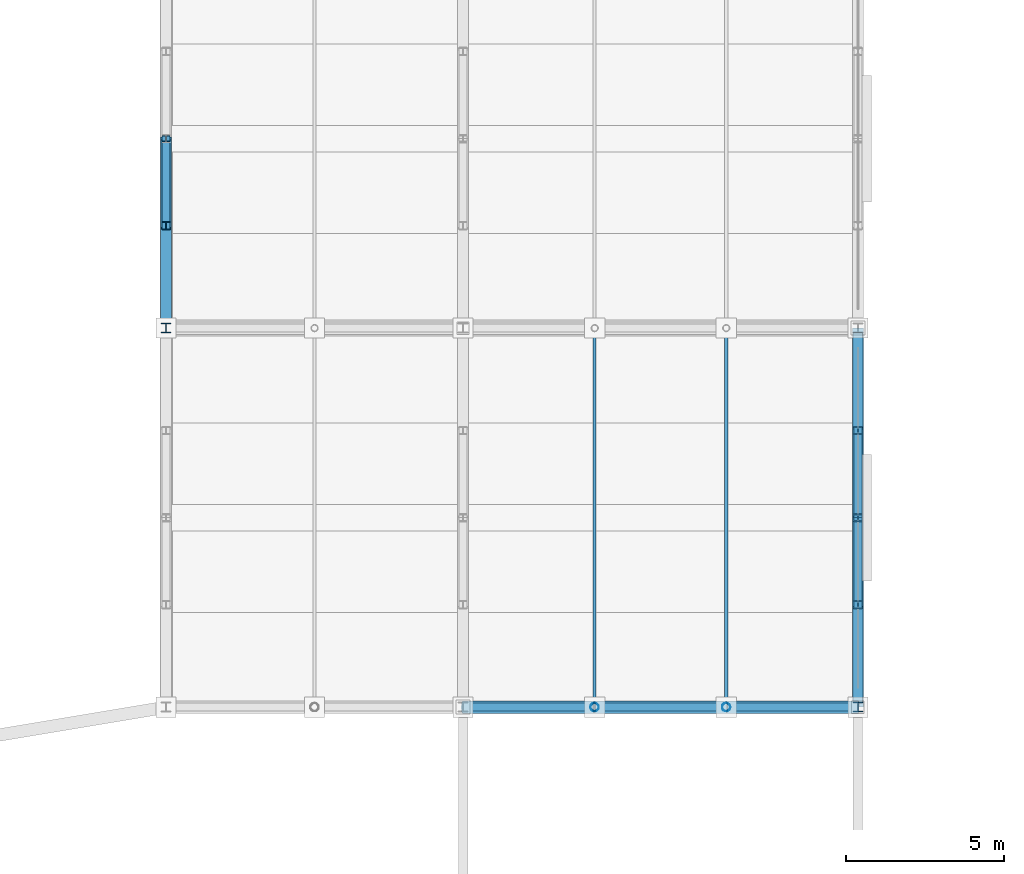
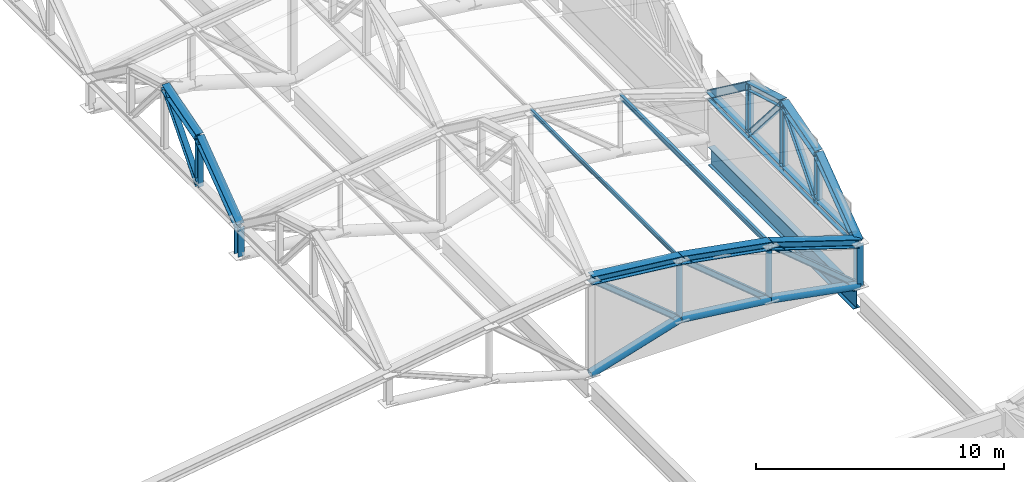
# One storey, part 60 of 117: 29 members, 1 beam.
"""IFC4 building model written with IfcOpenShell, lengths in metres."""

from ifc_helpers import new_model, si_unit, direction, frame, origin, origin_2d, place, context, subcontext, project, spatial, hollow_circle, i_section, extrude, material, material_profile, profile_set, type_object, element, save


model = new_model("IFC4")

# Units and contexts
model_context = context("Model", 3, precision=1e-05, world=origin(), true_north=direction((0.0, 1.0)))
body_context = subcontext(model_context, "Body", "Model", "MODEL_VIEW")
ifc_project = project(units=[si_unit("LENGTHUNIT", "METRE"), si_unit("AREAUNIT", "SQUARE_METRE"), si_unit("VOLUMEUNIT", "CUBIC_METRE"), si_unit("PLANEANGLEUNIT", "RADIAN"), si_unit("MASSUNIT", "GRAM", prefix="KILO")], contexts=[model_context])

# Site, building, storey
site_placement = place(None, origin())
site = spatial("IfcSite", under=ifc_project, at=site_placement, CompositionType="ELEMENT")
building_placement = place(site_placement, origin())
building = spatial("IfcBuilding", under=site, at=building_placement, Name="Kazenohara Klinker Stadium", CompositionType="ELEMENT")
storey_placement = place(building_placement, frame((0.0, 0.0, 31.199951171875)))
storey = spatial("IfcBuildingStorey", under=building, at=storey_placement, Name="RF", CompositionType="ELEMENT", Elevation=31.199951171875)

# Members
ifc_material = material(Name="Steel S355", Category="steel")
ifc_material_profile_1 = material_profile(ifc_material, i_section(OverallWidth=0.25, OverallDepth=0.25, WebThickness=0.009033203125, FlangeThickness=0.013916015625, FilletRadius=0.012939453125, at=origin_2d()), Name="H-250x250x9x14")
ifc_profile_set_1 = profile_set([ifc_material_profile_1], Name="Steel S355")
member_type_1 = type_object("IfcMemberType", Name="MEM-BRC02", PredefinedType="BRACE", material=ifc_profile_set_1)
member_1_placement = place(storey_placement, frame((187.5, 48.0, -0.02001953125), z_axis=(-0.76843159807, 0.0, 0.639931933168), x_axis=(0.0, -1.0, 0.0)))
element("IfcMember", 1, at=member_1_placement, inside=storey, type_object=member_type_1, Name="ROOF TRUSS RT-E01 web diagonal 1", PredefinedType="BRACE", context=body_context, shape_type="SweptSolid", body=[
    extrude(i_section(OverallWidth=0.25, OverallDepth=0.25, WebThickness=0.009033203125, FlangeThickness=0.013916015625, FilletRadius=0.012939453125, at=origin_2d()), origin(), (0.0, 0.0, 1.0), 5.42236328125),
])
member_2_placement = place(storey_placement, frame((183.333251953125, 48.0, 0.75), z_axis=(-0.770229945983, 0.0, 0.637766281887), x_axis=(0.0, -1.0, 0.0)))
element("IfcMember", 2, at=member_2_placement, inside=storey, type_object=member_type_1, Name="ROOF TRUSS RT-E01 web diagonal 2", PredefinedType="BRACE", context=body_context, shape_type="SweptSolid", body=[
    extrude(i_section(OverallWidth=0.25, OverallDepth=0.25, WebThickness=0.009033203125, FlangeThickness=0.013916015625, FilletRadius=0.012939453125, at=origin_2d()), origin(), (0.0, 0.0, 1.0), 5.409423828125),
])
member_3_placement = place(storey_placement, frame((179.166748046875, 48.0, 1.25), z_axis=(-0.774777826172, 0.0, 0.632233596127), x_axis=(0.0, -1.0, 0.0)))
element("IfcMember", 3, at=member_3_placement, inside=storey, type_object=member_type_1, Name="ROOF TRUSS RT-E01 web diagonal 3", PredefinedType="BRACE", context=body_context, shape_type="SweptSolid", body=[
    extrude(i_section(OverallWidth=0.25, OverallDepth=0.25, WebThickness=0.009033203125, FlangeThickness=0.013916015625, FilletRadius=0.012939453125, at=origin_2d()), origin(), (0.0, 0.0, 1.0), 5.3779296875),
])
ifc_material_profile_2 = material_profile(ifc_material, i_section(OverallWidth=0.39990234375, OverallDepth=0.39990234375, WebThickness=0.012939453125, FlangeThickness=0.02099609375, FilletRadius=0.02197265625, at=origin_2d()), Name="H-400x400x13x21")
ifc_profile_set_2 = profile_set([ifc_material_profile_2], Name="Steel S355")
member_type_2 = type_object("IfcMemberType", Name="MEM-CHD01", PredefinedType="CHORD", material=ifc_profile_set_2)
member_4_placement = place(storey_placement, frame((187.5, 48.0, 2.10009765625), z_axis=(-0.951324890397, 0.0, 0.308189800141), x_axis=(0.0, -1.0, 0.0)))
element("IfcMember", 4, at=member_4_placement, inside=storey, type_object=member_type_2, Name="ROOF TRUSS RT-E01 top arched chord 1", PredefinedType="CHORD", context=body_context, shape_type="SweptSolid", body=[
    extrude(i_section(OverallWidth=0.39990234375, OverallDepth=0.39990234375, WebThickness=0.012939453125, FlangeThickness=0.02099609375, FilletRadius=0.02197265625, at=origin_2d()), origin(), (0.0, 0.0, 1.0), 4.3798828125),
])
member_5_placement = place(storey_placement, frame((183.333251953125, 48.0, 3.449951171875), z_axis=(-0.984182117389, 0.0, 0.177159701431), x_axis=(0.0, -1.0, 0.0)))
element("IfcMember", 5, at=member_5_placement, inside=storey, type_object=member_type_2, Name="ROOF TRUSS RT-E01 top arched chord 2", PredefinedType="CHORD", context=body_context, shape_type="SweptSolid", body=[
    extrude(i_section(OverallWidth=0.39990234375, OverallDepth=0.39990234375, WebThickness=0.012939453125, FlangeThickness=0.02099609375, FilletRadius=0.02197265625, at=origin_2d()), origin(), (0.0, 0.0, 1.0), 4.2333984375),
])
member_6_placement = place(storey_placement, frame((179.166748046875, 48.0, 4.199951171875), z_axis=(-0.994213775272, 0.0, 0.107419593461), x_axis=(0.0, -1.0, 0.0)))
element("IfcMember", 6, at=member_6_placement, inside=storey, type_object=member_type_2, Name="ROOF TRUSS RT-E01 top arched chord 3", PredefinedType="CHORD", context=body_context, shape_type="SweptSolid", body=[
    extrude(i_section(OverallWidth=0.39990234375, OverallDepth=0.39990234375, WebThickness=0.012939453125, FlangeThickness=0.02099609375, FilletRadius=0.02197265625, at=origin_2d()), origin(), (0.0, 0.0, 1.0), 4.19091796875),
])
ifc_material_profile_3 = material_profile(ifc_material, i_section(OverallWidth=0.35009765625, OverallDepth=0.35009765625, WebThickness=0.011962890625, FlangeThickness=0.01904296875, FilletRadius=0.012939453125, at=origin_2d()), Name="H-350x350x12x19")
ifc_profile_set_3 = profile_set([ifc_material_profile_3], Name="Steel S355")
member_type_3 = type_object("IfcMemberType", Name="MEM-CHD02", PredefinedType="CHORD", material=ifc_profile_set_3)
member_7_placement = place(storey_placement, frame((187.5, 48.0, 2.10009765625), z_axis=(0.0, 1.0, 0.0), x_axis=(-1.0, 0.0, 0.0)))
element("IfcMember", 7, at=member_7_placement, inside=storey, type_object=member_type_3, Name="Barrel arch tie chord TC02 E-01-N0", PredefinedType="CHORD", context=body_context, shape_type="SweptSolid", body=[
    extrude(i_section(OverallWidth=0.35009765625, OverallDepth=0.35009765625, WebThickness=0.011962890625, FlangeThickness=0.01904296875, FilletRadius=0.012939453125, at=origin_2d()), origin(), (0.0, 0.0, 1.0), 12.0),
])
member_8_placement = place(storey_placement, frame((187.5, 48.0, 2.10009765625), z_axis=(0.0, 0.803567919639, 0.595213069856), x_axis=(-1.0, 0.0, 0.0)))
element("IfcMember", 8, at=member_8_placement, inside=storey, type_object=member_type_3, Name="Barrel arch top rib TC02 E-01-N0-S1", PredefinedType="CHORD", context=body_context, shape_type="SweptSolid", body=[
    extrude(i_section(OverallWidth=0.35009765625, OverallDepth=0.35009765625, WebThickness=0.011962890625, FlangeThickness=0.01904296875, FilletRadius=0.012939453125, at=origin_2d()), origin(), (0.0, 0.0, 1.0), 4.031982421875),
])
for number, where, z_axis, x_axis, name in (
    (9, (187.5, 51.239990234375, 4.5), (0.0, 0.960462085918, 0.27841081429), (-1.0, 0.0, 0.0), "Barrel arch top rib TC02 E-01-N0-S2"),
    (10, (187.5, 54.0, 5.300048828125), (0.0, 0.960462085918, -0.27841081429), (-1.0, 0.0, 0.0), "Barrel arch top rib TC02 E-01-N0-S3"),
):
    element("IfcMember", number, at=place(storey_placement, frame(where, z_axis=z_axis, x_axis=x_axis)), inside=storey, type_object=member_type_3, Name=name, PredefinedType="CHORD", context=body_context, shape_type="SweptSolid", body=[
        extrude(i_section(OverallWidth=0.35009765625, OverallDepth=0.35009765625, WebThickness=0.011962890625, FlangeThickness=0.01904296875, FilletRadius=0.012939453125, at=origin_2d()), origin(), (0.0, 0.0, 1.0), 2.87353515625),
    ])
for number, where, z_axis, x_axis, name in (
    (11, (187.5, 56.760009765625, 4.5), (0.0, 0.803567919639, -0.595213069856), (-1.0, 0.0, 0.0), "Barrel arch top rib TC02 E-01-N0-S4"),
    (12, (165.60009765625, 60.0, 3.300048828125), (0.0, 0.803567919639, 0.595213069856), (-1.0, 0.0, 0.0), "Barrel arch top rib TC02 E-02-N5-S1"),
):
    element("IfcMember", number, at=place(storey_placement, frame(where, z_axis=z_axis, x_axis=x_axis)), inside=storey, type_object=member_type_3, Name=name, PredefinedType="CHORD", context=body_context, shape_type="SweptSolid", body=[
        extrude(i_section(OverallWidth=0.35009765625, OverallDepth=0.35009765625, WebThickness=0.011962890625, FlangeThickness=0.01904296875, FilletRadius=0.012939453125, at=origin_2d()), origin(), (0.0, 0.0, 1.0), 4.031982421875),
    ])
member_9_placement = place(storey_placement, frame((165.60009765625, 63.239990234375, 5.699951171875), z_axis=(0.0, 0.960462085918, 0.27841081429), x_axis=(-1.0, 0.0, 0.0)))
element("IfcMember", 13, at=member_9_placement, inside=storey, type_object=member_type_3, Name="Barrel arch top rib TC02 E-02-N5-S2", PredefinedType="CHORD", context=body_context, shape_type="SweptSolid", body=[
    extrude(i_section(OverallWidth=0.35009765625, OverallDepth=0.35009765625, WebThickness=0.011962890625, FlangeThickness=0.01904296875, FilletRadius=0.012939453125, at=origin_2d()), origin(), (0.0, 0.0, 1.0), 2.87353515625),
])
ifc_material_profile_4 = material_profile(ifc_material, hollow_circle(Radius=0.203125, WallThickness=0.011962890625, at=origin_2d()), Name="CHS-406.4x12")
ifc_profile_set_4 = profile_set([ifc_material_profile_4], Name="Steel S355")
member_type_4 = type_object("IfcMemberType", Name="MEM-CHD03", PredefinedType="CHORD", material=ifc_profile_set_4)
member_10_placement = place(storey_placement, frame((187.5, 48.0, -0.02001953125), z_axis=(-0.983349564566, 0.0, 0.181724059685), x_axis=(0.0, -1.0, 0.0)))
element("IfcMember", 14, at=member_10_placement, inside=storey, type_object=member_type_4, Name="ROOF TRUSS RT-E01 bottom arched chord 1", PredefinedType="CHORD", context=body_context, shape_type="SweptSolid", body=[
    extrude(hollow_circle(Radius=0.203125, WallThickness=0.011962890625, at=origin_2d()), origin(), (0.0, 0.0, 1.0), 4.2373046875),
])
member_11_placement = place(storey_placement, frame((183.333251953125, 48.0, 0.75), z_axis=(-0.99287628789, 0.0, 0.119149808836), x_axis=(0.0, -1.0, 0.0)))
element("IfcMember", 15, at=member_11_placement, inside=storey, type_object=member_type_4, Name="ROOF TRUSS RT-E01 bottom arched chord 2", PredefinedType="CHORD", context=body_context, shape_type="SweptSolid", body=[
    extrude(hollow_circle(Radius=0.203125, WallThickness=0.011962890625, at=origin_2d()), origin(), (0.0, 0.0, 1.0), 4.1962890625),
])
member_12_placement = place(storey_placement, frame((179.166748046875, 48.0, 1.25), z_axis=(-0.956553656775, 0.0, -0.291556343971), x_axis=(0.0, -1.0, 0.0)))
element("IfcMember", 16, at=member_12_placement, inside=storey, type_object=member_type_4, Name="ROOF TRUSS RT-E01 bottom arched chord 3", PredefinedType="CHORD", context=body_context, shape_type="SweptSolid", body=[
    extrude(hollow_circle(Radius=0.203125, WallThickness=0.011962890625, at=origin_2d()), origin(), (0.0, 0.0, 1.0), 4.35595703125),
])
ifc_material_profile_5 = material_profile(ifc_material, i_section(OverallWidth=0.125, OverallDepth=0.25, WebThickness=0.006103515625, FlangeThickness=0.009033203125, FilletRadius=0.008056640625, at=origin_2d()), Name="H-250x125x6x9")
ifc_profile_set_5 = profile_set([ifc_material_profile_5], Name="Steel S355")
member_type_5 = type_object("IfcMemberType", Name="MEM-PUR01", PredefinedType="PURLIN", material=ifc_profile_set_5)
member_13_placement = place(storey_placement, frame((183.333251953125, 48.0, 3.469970703125), z_axis=(0.0, 1.0, 0.0), x_axis=(-1.0, 0.0, 0.0)))
element("IfcMember", 17, at=member_13_placement, inside=storey, type_object=member_type_5, Name="Canopy valley tie purlin PR01 E-01-N1", PredefinedType="PURLIN", context=body_context, shape_type="SweptSolid", body=[
    extrude(i_section(OverallWidth=0.125, OverallDepth=0.25, WebThickness=0.006103515625, FlangeThickness=0.009033203125, FilletRadius=0.008056640625, at=origin_2d()), origin(), (0.0, 0.0, 1.0), 12.0),
])
ifc_material_profile_6 = material_profile(ifc_material, i_section(OverallWidth=0.10009765625, OverallDepth=0.199951171875, WebThickness=0.005615234375, FlangeThickness=0.008056640625, FilletRadius=0.008056640625, at=origin_2d()), Name="H-200x100x5.5x8")
ifc_profile_set_6 = profile_set([ifc_material_profile_6], Name="Steel S355")
member_type_6 = type_object("IfcMemberType", Name="MEM-PUR02", PredefinedType="PURLIN", material=ifc_profile_set_6)
member_14_placement = place(storey_placement, frame((179.166748046875, 48.0, 4.219970703125), z_axis=(0.0, 1.0, 0.0), x_axis=(-1.0, 0.0, 0.0)))
element("IfcMember", 18, at=member_14_placement, inside=storey, type_object=member_type_6, Name="Canopy valley tie purlin PR02 E-01-N2", PredefinedType="PURLIN", context=body_context, shape_type="SweptSolid", body=[
    extrude(i_section(OverallWidth=0.10009765625, OverallDepth=0.199951171875, WebThickness=0.005615234375, FlangeThickness=0.008056640625, FilletRadius=0.008056640625, at=origin_2d()), origin(), (0.0, 0.0, 1.0), 12.0),
])
ifc_material_profile_7 = material_profile(ifc_material, i_section(OverallWidth=0.300048828125, OverallDepth=0.300048828125, WebThickness=0.010009765625, FlangeThickness=0.014892578125, FilletRadius=0.012939453125, at=origin_2d()), Name="H-300x300x10x15")
ifc_profile_set_7 = profile_set([ifc_material_profile_7], Name="Steel S355")
member_type_7 = type_object("IfcMemberType", Name="MEM-STR01", PredefinedType="STRUT", material=ifc_profile_set_7)
member_15_placement = place(storey_placement, frame((187.5, 48.0, -0.02001953125), z_axis=(0.0, 0.0, 1.0), x_axis=(1.0, 0.0, 0.0)))
element("IfcMember", 19, at=member_15_placement, inside=storey, type_object=member_type_7, Name="ROOF TRUSS RT-E01 web post 1", PredefinedType="STRUT", context=body_context, shape_type="SweptSolid", body=[
    extrude(i_section(OverallWidth=0.300048828125, OverallDepth=0.300048828125, WebThickness=0.010009765625, FlangeThickness=0.014892578125, FilletRadius=0.012939453125, at=origin_2d()), origin(), (0.0, 0.0, 1.0), 2.1201171875),
])
member_16_placement = place(storey_placement, frame((165.60009765625, 60.0, 1.85009765625), z_axis=(0.0, 0.0, 1.0), x_axis=(1.0, 0.0, 0.0)))
element("IfcMember", 20, at=member_16_placement, inside=storey, type_object=member_type_7, Name="ROOF TRUSS RT-E02 web post 6", PredefinedType="STRUT", context=body_context, shape_type="SweptSolid", body=[
    extrude(i_section(OverallWidth=0.300048828125, OverallDepth=0.300048828125, WebThickness=0.010009765625, FlangeThickness=0.014892578125, FilletRadius=0.012939453125, at=origin_2d()), origin(), (0.0, 0.0, 1.0), 1.449951171875),
])
ifc_material_profile_8 = material_profile(ifc_material, i_section(OverallWidth=0.25, OverallDepth=0.25, WebThickness=0.009033203125, FlangeThickness=0.013916015625, FilletRadius=0.012939453125, at=origin_2d()), Name="H-250x250x9x14")
ifc_profile_set_8 = profile_set([ifc_material_profile_8], Name="Steel S355")
member_type_8 = type_object("IfcMemberType", Name="MEM-STR02", PredefinedType="STRUT", material=ifc_profile_set_8)
member_17_placement = place(storey_placement, frame((187.5, 51.239990234375, 2.10009765625), z_axis=(0.0, 0.0, 1.0), x_axis=(1.0, 0.0, 0.0)))
element("IfcMember", 21, at=member_17_placement, inside=storey, type_object=member_type_8, Name="Barrel arch web post TS02 E-01-N0-P1", PredefinedType="STRUT", context=body_context, shape_type="SweptSolid", body=[
    extrude(i_section(OverallWidth=0.25, OverallDepth=0.25, WebThickness=0.009033203125, FlangeThickness=0.013916015625, FilletRadius=0.012939453125, at=origin_2d()), origin(), (0.0, 0.0, 1.0), 2.39990234375),
])
member_18_placement = place(storey_placement, frame((187.5, 54.0, 2.10009765625), z_axis=(0.0, 0.0, 1.0), x_axis=(1.0, 0.0, 0.0)))
element("IfcMember", 22, at=member_18_placement, inside=storey, type_object=member_type_8, Name="Barrel arch web post TS02 E-01-N0-P2", PredefinedType="STRUT", context=body_context, shape_type="SweptSolid", body=[
    extrude(i_section(OverallWidth=0.25, OverallDepth=0.25, WebThickness=0.009033203125, FlangeThickness=0.013916015625, FilletRadius=0.012939453125, at=origin_2d()), origin(), (0.0, 0.0, 1.0), 3.199951171875),
])
member_19_placement = place(storey_placement, frame((187.5, 56.760009765625, 2.10009765625), z_axis=(0.0, 0.0, 1.0), x_axis=(1.0, 0.0, 0.0)))
element("IfcMember", 23, at=member_19_placement, inside=storey, type_object=member_type_8, Name="Barrel arch web post TS02 E-01-N0-P3", PredefinedType="STRUT", context=body_context, shape_type="SweptSolid", body=[
    extrude(i_section(OverallWidth=0.25, OverallDepth=0.25, WebThickness=0.009033203125, FlangeThickness=0.013916015625, FilletRadius=0.012939453125, at=origin_2d()), origin(), (0.0, 0.0, 1.0), 2.39990234375),
])
for number, where, z_axis, x_axis, name in (
    (24, (187.5, 51.239990234375, 2.10009765625), (0.0, 0.653133887971, 0.757242447558), (-1.0, 0.0, 0.0), "Barrel arch web diagonal TS02 E-01-N0-D1"),
    (25, (187.5, 56.760009765625, 2.10009765625), (0.0, -0.653133887971, 0.757242447558), (1.0, 0.0, 0.0), "Barrel arch web diagonal TS02 E-01-N0-D2"),
):
    element("IfcMember", number, at=place(storey_placement, frame(where, z_axis=z_axis, x_axis=x_axis)), inside=storey, type_object=member_type_8, Name=name, PredefinedType="STRUT", context=body_context, shape_type="SweptSolid", body=[
        extrude(i_section(OverallWidth=0.25, OverallDepth=0.25, WebThickness=0.009033203125, FlangeThickness=0.013916015625, FilletRadius=0.012939453125, at=origin_2d()), origin(), (0.0, 0.0, 1.0), 4.225830078125),
    ])
member_20_placement = place(storey_placement, frame((165.60009765625, 63.239990234375, 3.300048828125), z_axis=(0.0, 0.0, 1.0), x_axis=(1.0, 0.0, 0.0)))
element("IfcMember", 26, at=member_20_placement, inside=storey, type_object=member_type_8, Name="Barrel arch web post TS02 E-02-N5-P1", PredefinedType="STRUT", context=body_context, shape_type="SweptSolid", body=[
    extrude(i_section(OverallWidth=0.25, OverallDepth=0.25, WebThickness=0.009033203125, FlangeThickness=0.013916015625, FilletRadius=0.012939453125, at=origin_2d()), origin(), (0.0, 0.0, 1.0), 2.39990234375),
])
member_21_placement = place(storey_placement, frame((165.60009765625, 63.239990234375, 3.300048828125), z_axis=(0.0, 0.653133887971, 0.757242447558), x_axis=(-1.0, 0.0, 0.0)))
element("IfcMember", 27, at=member_21_placement, inside=storey, type_object=member_type_8, Name="Barrel arch web diagonal TS02 E-02-N5-D1", PredefinedType="STRUT", context=body_context, shape_type="SweptSolid", body=[
    extrude(i_section(OverallWidth=0.25, OverallDepth=0.25, WebThickness=0.009033203125, FlangeThickness=0.013916015625, FilletRadius=0.012939453125, at=origin_2d()), origin(), (0.0, 0.0, 1.0), 4.225830078125),
])
ifc_material_profile_9 = material_profile(ifc_material, hollow_circle(Radius=0.1337890625, WallThickness=0.009033203125, at=origin_2d()), Name="CHS-267.4x9")
ifc_profile_set_9 = profile_set([ifc_material_profile_9], Name="Steel S355")
member_type_9 = type_object("IfcMemberType", Name="MEM-STR03", PredefinedType="STRUT", material=ifc_profile_set_9)
member_22_placement = place(storey_placement, frame((183.333251953125, 48.0, 0.75), z_axis=(0.0, 0.0, 1.0), x_axis=(1.0, 0.0, 0.0)))
element("IfcMember", 28, at=member_22_placement, inside=storey, type_object=member_type_9, Name="ROOF TRUSS RT-E01 web post 2", PredefinedType="STRUT", context=body_context, shape_type="SweptSolid", body=[
    extrude(hollow_circle(Radius=0.1337890625, WallThickness=0.009033203125, at=origin_2d()), origin(), (0.0, 0.0, 1.0), 2.699951171875),
])
member_23_placement = place(storey_placement, frame((179.166748046875, 48.0, 1.25), z_axis=(0.0, 0.0, 1.0), x_axis=(1.0, 0.0, 0.0)))
element("IfcMember", 29, at=member_23_placement, inside=storey, type_object=member_type_9, Name="ROOF TRUSS RT-E01 web post 3", PredefinedType="STRUT", context=body_context, shape_type="SweptSolid", body=[
    extrude(hollow_circle(Radius=0.1337890625, WallThickness=0.009033203125, at=origin_2d()), origin(), (0.0, 0.0, 1.0), 2.949951171875),
])

# Beam
ifc_material_profile_10 = material_profile(ifc_material, i_section(OverallWidth=0.300048828125, OverallDepth=0.89990234375, WebThickness=0.01611328125, FlangeThickness=0.028076171875, FilletRadius=0.02197265625, at=origin_2d()), Name="H-900x300x16x28")
ifc_profile_set_10 = profile_set([ifc_material_profile_10], Name="Steel S355")
beam_type = type_object("IfcBeamType", Name="RING-RB01", PredefinedType="USERDEFINED", material=ifc_profile_set_10)
beam_placement = place(storey_placement, frame((187.5, 48.139892578125, -0.820068359375), z_axis=(0.0, 1.0, 0.0), x_axis=(-1.0, 0.0, 0.0)))
element("IfcBeam", 30, at=beam_placement, inside=storey, type_object=beam_type, Name="Roof ring beam RB01 E-OUT E-F", ObjectType="RING BEAM", PredefinedType="USERDEFINED", context=body_context, shape_type="SweptSolid", body=[
    extrude(i_section(OverallWidth=0.300048828125, OverallDepth=0.89990234375, WebThickness=0.01611328125, FlangeThickness=0.028076171875, FilletRadius=0.02197265625, at=origin_2d()), origin(), (0.0, 0.0, 1.0), 11.72021484375),
])

save(model, "model.ifc")
